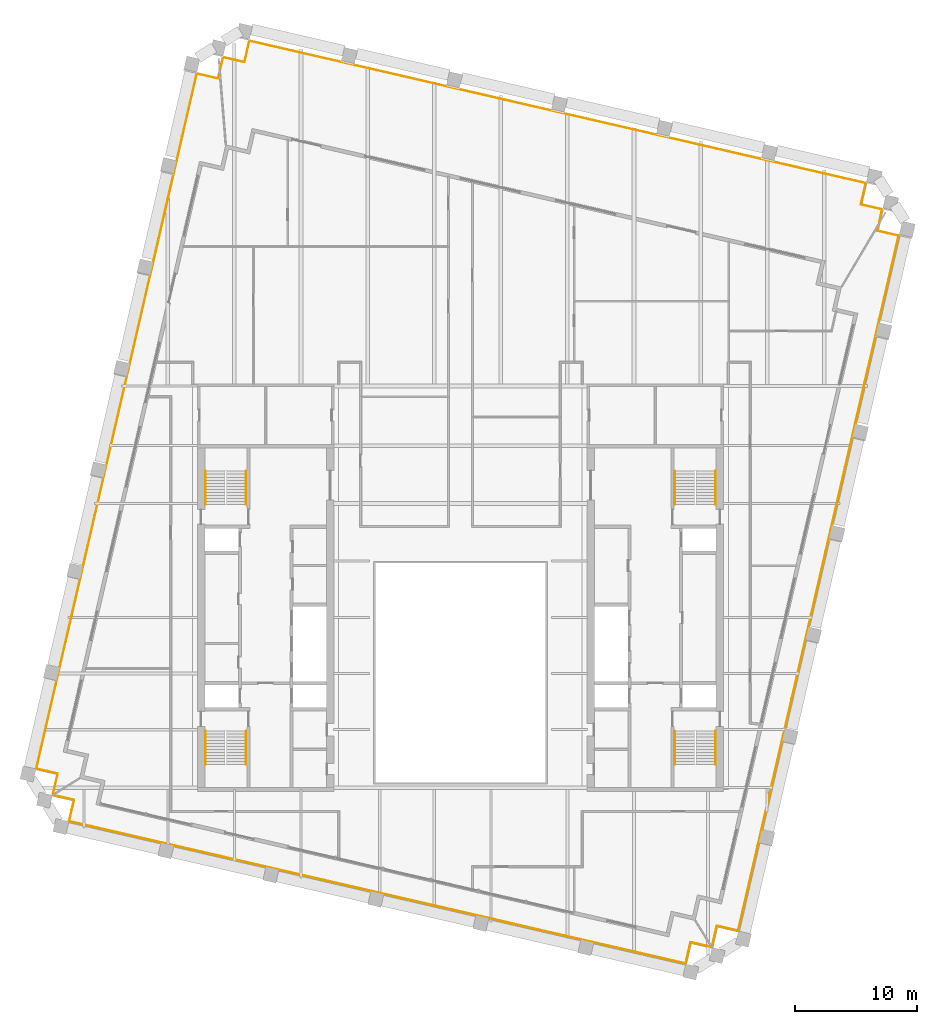
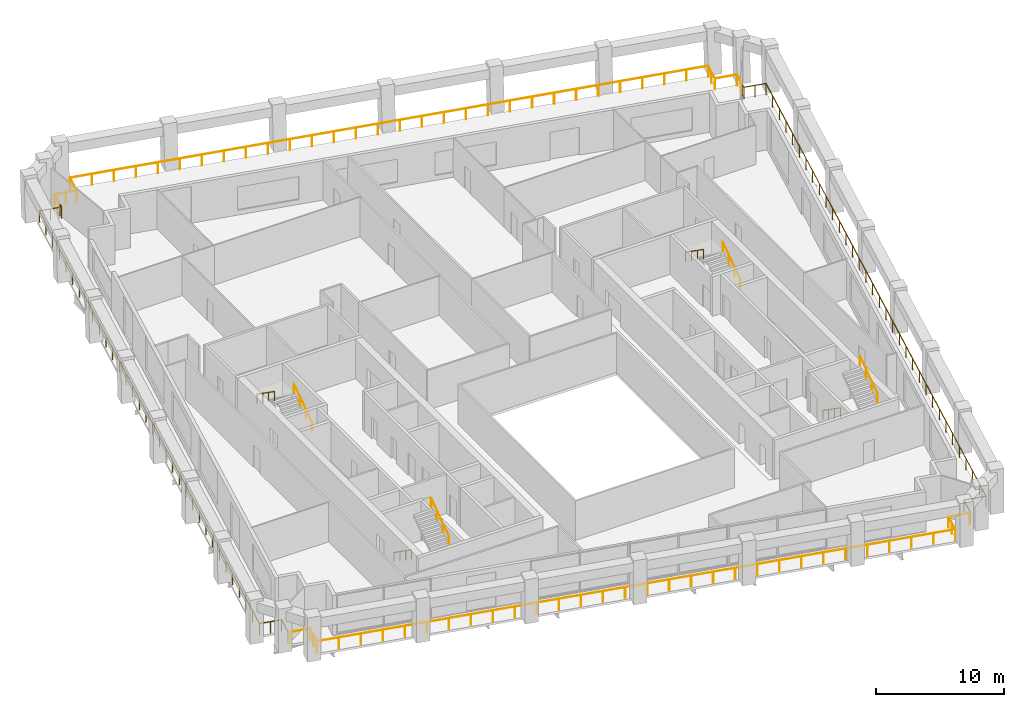
# One storey, part 11 of 11: 12 railings.
"""IFC4 building model written with IfcOpenShell, lengths in metres."""

from ifc_helpers import new_model, si_unit, direction, frame, origin, origin_2d, place, context, subcontext, project, spatial, circle, extrude, material, type_object, element, save


model = new_model("IFC4")

# Units and contexts
model_context = context("Model", 3, precision=1e-05, world=origin(), true_north=direction((0.0, 1.0)))
body_context = subcontext(model_context, "Body", "Model", "MODEL_VIEW")
ifc_project = project(units=[si_unit("LENGTHUNIT", "METRE"), si_unit("AREAUNIT", "SQUARE_METRE"), si_unit("VOLUMEUNIT", "CUBIC_METRE"), si_unit("PLANEANGLEUNIT", "RADIAN"), si_unit("MASSUNIT", "GRAM", prefix="KILO")], contexts=[model_context])

# Site, building, storey
site_placement = place(None, origin())
site = spatial("IfcSite", under=ifc_project, at=site_placement, CompositionType="ELEMENT")
building_placement = place(site_placement, origin())
building = spatial("IfcBuilding", under=site, at=building_placement, Name="Ogive Exchange Tower", CompositionType="ELEMENT")
storey_placement = place(building_placement, frame((0.0, 0.0, 293.39990234375)))
storey = spatial("IfcBuildingStorey", under=building, at=storey_placement, Name="L64", CompositionType="ELEMENT", Elevation=293.39990234375)

# Railings
ifc_material_1 = material(Name="Stainless steel 316", Category="steel")
railing_type_1 = type_object("IfcRailingType", Name="Guard 1100 stainless steel and glass", PredefinedType="GUARDRAIL", material=ifc_material_1)
railing_1_placement = place(storey_placement, frame((20.560546875, -15.527099609375, -0.0498046875)))
element("IfcRailing", 1, at=railing_1_placement, inside=storey, type_object=railing_type_1, Name="Loggia guard 1", PredefinedType="GUARDRAIL", context=body_context, shape_type="SweptSolid", body=[
    extrude(circle(Radius=0.02392578125, at=origin_2d()), frame((0.0, 0.0, 1.076171875), z_axis=(-0.974396013545, 0.224838628327, 0.0), x_axis=(-0.224838628327, -0.974396013545, 0.0)), (0.0, 0.0, 1.0), 1.7080078125),
    extrude(circle(Radius=0.02392578125, at=origin_2d()), frame((-1.664306640625, 0.384033203125, 1.076171875), z_axis=(-0.224879318197, -0.974386623598, 0.0), x_axis=(0.974386623598, -0.224879318197, 0.0)), (0.0, 0.0, 1.0), 1.800048828125),
    extrude(circle(Radius=0.02392578125, at=origin_2d()), frame((-2.069091796875, -1.369873046875, 1.076171875), z_axis=(-0.974370126852, 0.224950785504, 0.0), x_axis=(-0.224950785504, -0.974370126852, 0.0)), (0.0, 0.0, 1.0), 51.960205078125),
    extrude(circle(Radius=0.02392578125, at=origin_2d()), frame((-52.697509765625, 10.318603515625, 1.076171875), z_axis=(0.225008086135, 0.974356896201, 0.0), x_axis=(-0.974356896201, 0.225008086135, 0.0)), (0.0, 0.0, 1.0), 1.800048828125),
    extrude(circle(Radius=0.02392578125, at=origin_2d()), frame((-52.29248046875, 12.072509765625, 1.076171875), z_axis=(-0.974364690374, 0.224974332206, 0.0), x_axis=(-0.224974332206, -0.974364690374, 0.0)), (0.0, 0.0, 1.0), 1.7080078125),
    extrude(circle(Radius=0.02099609375, at=origin_2d()), origin(), (0.0, 0.0, 1.0), 1.052001953125),
    extrude(circle(Radius=0.02099609375, at=origin_2d()), frame((-1.664306640625, 0.384033203125, 0.0)), (0.0, 0.0, 1.0), 1.052001953125),
    extrude(circle(Radius=0.02099609375, at=origin_2d()), frame((-1.86669921875, -0.492919921875, 0.0)), (0.0, 0.0, 1.0), 1.052001953125),
    extrude(circle(Radius=0.02099609375, at=origin_2d()), frame((-2.069091796875, -1.369873046875, 0.0)), (0.0, 0.0, 1.0), 1.052001953125),
    extrude(circle(Radius=0.02099609375, at=origin_2d()), frame((-3.81494140625, -0.966796875, 0.0)), (0.0, 0.0, 1.0), 1.052001953125),
    extrude(circle(Radius=0.02099609375, at=origin_2d()), frame((-5.560791015625, -0.563720703125, 0.0)), (0.0, 0.0, 1.0), 1.052001953125),
    extrude(circle(Radius=0.02099609375, at=origin_2d()), frame((-7.306396484375, -0.16064453125, 0.0)), (0.0, 0.0, 1.0), 1.052001953125),
    extrude(circle(Radius=0.02099609375, at=origin_2d()), frame((-9.05224609375, 0.242431640625, 0.0)), (0.0, 0.0, 1.0), 1.052001953125),
    extrude(circle(Radius=0.02099609375, at=origin_2d()), frame((-10.798095703125, 0.645263671875, 0.0)), (0.0, 0.0, 1.0), 1.052001953125),
    extrude(circle(Radius=0.02099609375, at=origin_2d()), frame((-12.5439453125, 1.04833984375, 0.0)), (0.0, 0.0, 1.0), 1.052001953125),
    extrude(circle(Radius=0.02099609375, at=origin_2d()), frame((-14.289794921875, 1.451416015625, 0.0)), (0.0, 0.0, 1.0), 1.052001953125),
    extrude(circle(Radius=0.02099609375, at=origin_2d()), frame((-16.03564453125, 1.8544921875, 0.0)), (0.0, 0.0, 1.0), 1.052001953125),
    extrude(circle(Radius=0.02099609375, at=origin_2d()), frame((-17.78125, 2.257568359375, 0.0)), (0.0, 0.0, 1.0), 1.052001953125),
    extrude(circle(Radius=0.02099609375, at=origin_2d()), frame((-19.527099609375, 2.66064453125, 0.0)), (0.0, 0.0, 1.0), 1.052001953125),
    extrude(circle(Radius=0.02099609375, at=origin_2d()), frame((-21.27294921875, 3.063720703125, 0.0)), (0.0, 0.0, 1.0), 1.052001953125),
    extrude(circle(Radius=0.02099609375, at=origin_2d()), frame((-23.018798828125, 3.466796875, 0.0)), (0.0, 0.0, 1.0), 1.052001953125),
    extrude(circle(Radius=0.02099609375, at=origin_2d()), frame((-24.7646484375, 3.869873046875, 0.0)), (0.0, 0.0, 1.0), 1.052001953125),
    extrude(circle(Radius=0.02099609375, at=origin_2d()), frame((-26.510498046875, 4.27294921875, 0.0)), (0.0, 0.0, 1.0), 1.052001953125),
    extrude(circle(Radius=0.02099609375, at=origin_2d()), frame((-28.256103515625, 4.67578125, 0.0)), (0.0, 0.0, 1.0), 1.052001953125),
    extrude(circle(Radius=0.02099609375, at=origin_2d()), frame((-30.001953125, 5.078857421875, 0.0)), (0.0, 0.0, 1.0), 1.052001953125),
    extrude(circle(Radius=0.02099609375, at=origin_2d()), frame((-31.747802734375, 5.48193359375, 0.0)), (0.0, 0.0, 1.0), 1.052001953125),
    extrude(circle(Radius=0.02099609375, at=origin_2d()), frame((-33.49365234375, 5.885009765625, 0.0)), (0.0, 0.0, 1.0), 1.052001953125),
    extrude(circle(Radius=0.02099609375, at=origin_2d()), frame((-35.239501953125, 6.2880859375, 0.0)), (0.0, 0.0, 1.0), 1.052001953125),
    extrude(circle(Radius=0.02099609375, at=origin_2d()), frame((-36.9853515625, 6.691162109375, 0.0)), (0.0, 0.0, 1.0), 1.052001953125),
    extrude(circle(Radius=0.02099609375, at=origin_2d()), frame((-38.73095703125, 7.09423828125, 0.0)), (0.0, 0.0, 1.0), 1.052001953125),
    extrude(circle(Radius=0.02099609375, at=origin_2d()), frame((-40.476806640625, 7.497314453125, 0.0)), (0.0, 0.0, 1.0), 1.052001953125),
    extrude(circle(Radius=0.02099609375, at=origin_2d()), frame((-42.22265625, 7.900390625, 0.0)), (0.0, 0.0, 1.0), 1.052001953125),
    extrude(circle(Radius=0.02099609375, at=origin_2d()), frame((-43.968505859375, 8.303466796875, 0.0)), (0.0, 0.0, 1.0), 1.052001953125),
    extrude(circle(Radius=0.02099609375, at=origin_2d()), frame((-45.71435546875, 8.706298828125, 0.0)), (0.0, 0.0, 1.0), 1.052001953125),
    extrude(circle(Radius=0.02099609375, at=origin_2d()), frame((-47.460205078125, 9.109375, 0.0)), (0.0, 0.0, 1.0), 1.052001953125),
    extrude(circle(Radius=0.02099609375, at=origin_2d()), frame((-49.205810546875, 9.512451171875, 0.0)), (0.0, 0.0, 1.0), 1.052001953125),
    extrude(circle(Radius=0.02099609375, at=origin_2d()), frame((-50.95166015625, 9.91552734375, 0.0)), (0.0, 0.0, 1.0), 1.052001953125),
    extrude(circle(Radius=0.02099609375, at=origin_2d()), frame((-52.697509765625, 10.318603515625, 0.0)), (0.0, 0.0, 1.0), 1.052001953125),
    extrude(circle(Radius=0.02099609375, at=origin_2d()), frame((-52.4951171875, 11.195556640625, 0.0)), (0.0, 0.0, 1.0), 1.052001953125),
    extrude(circle(Radius=0.02099609375, at=origin_2d()), frame((-52.29248046875, 12.072509765625, 0.0)), (0.0, 0.0, 1.0), 1.052001953125),
    extrude(circle(Radius=0.02099609375, at=origin_2d()), frame((-53.956787109375, 12.456787109375, 0.0)), (0.0, 0.0, 1.0), 1.052001953125),
])
railing_2_placement = place(storey_placement, frame((-33.465087890625, -2.960205078125, -0.0498046875)))
element("IfcRailing", 2, at=railing_2_placement, inside=storey, type_object=railing_type_1, Name="Loggia guard 2", PredefinedType="GUARDRAIL", context=body_context, shape_type="SweptSolid", body=[
    extrude(circle(Radius=0.02392578125, at=origin_2d()), frame((0.0, 0.0, 1.076171875), z_axis=(0.224974332206, 0.974364690374, 0.0), x_axis=(-0.974364690374, 0.224974332206, 0.0)), (0.0, 0.0, 1.0), 1.7080078125),
    extrude(circle(Radius=0.02392578125, at=origin_2d()), frame((0.38427734375, 1.664306640625, 1.076171875), z_axis=(-0.974356896201, 0.225008086135, 0.0), x_axis=(-0.225008086135, -0.974356896201, 0.0)), (0.0, 0.0, 1.0), 1.800048828125),
    extrude(circle(Radius=0.02392578125, at=origin_2d()), frame((-1.36962890625, 2.0693359375, 1.076171875), z_axis=(0.224949894948, 0.974370332452, 0.0), x_axis=(-0.974370332452, 0.224949894948, 0.0)), (0.0, 0.0, 1.0), 58.587158203125),
    extrude(circle(Radius=0.02392578125, at=origin_2d()), frame((11.8095703125, 59.155029296875, 1.076171875), z_axis=(0.974356896201, -0.225008086135, 0.0), x_axis=(0.225008086135, 0.974356896201, 0.0)), (0.0, 0.0, 1.0), 1.800048828125),
    extrude(circle(Radius=0.02392578125, at=origin_2d()), frame((13.5634765625, 58.75, 1.076171875), z_axis=(0.224714267774, 0.974424700969, 0.0), x_axis=(-0.974424700969, 0.224714267774, 0.0)), (0.0, 0.0, 1.0), 0.368408203125),
    extrude(circle(Radius=0.02099609375, at=origin_2d()), origin(), (0.0, 0.0, 1.0), 1.052001953125),
    extrude(circle(Radius=0.02099609375, at=origin_2d()), frame((0.38427734375, 1.664306640625, 0.0)), (0.0, 0.0, 1.0), 1.052001953125),
    extrude(circle(Radius=0.02099609375, at=origin_2d()), frame((-0.49267578125, 1.86669921875, 0.0)), (0.0, 0.0, 1.0), 1.052001953125),
    extrude(circle(Radius=0.02099609375, at=origin_2d()), frame((-1.36962890625, 2.0693359375, 0.0)), (0.0, 0.0, 1.0), 1.052001953125),
    extrude(circle(Radius=0.02099609375, at=origin_2d()), frame((-0.97021484375, 3.79931640625, 0.0)), (0.0, 0.0, 1.0), 1.052001953125),
    extrude(circle(Radius=0.02099609375, at=origin_2d()), frame((-0.57080078125, 5.529052734375, 0.0)), (0.0, 0.0, 1.0), 1.052001953125),
    extrude(circle(Radius=0.02099609375, at=origin_2d()), frame((-0.171630859375, 7.259033203125, 0.0)), (0.0, 0.0, 1.0), 1.052001953125),
    extrude(circle(Radius=0.02099609375, at=origin_2d()), frame((0.227783203125, 8.98876953125, 0.0)), (0.0, 0.0, 1.0), 1.052001953125),
    extrude(circle(Radius=0.02099609375, at=origin_2d()), frame((0.627197265625, 10.71875, 0.0)), (0.0, 0.0, 1.0), 1.052001953125),
    extrude(circle(Radius=0.02099609375, at=origin_2d()), frame((1.026611328125, 12.448486328125, 0.0)), (0.0, 0.0, 1.0), 1.052001953125),
    extrude(circle(Radius=0.02099609375, at=origin_2d()), frame((1.426025390625, 14.178466796875, 0.0)), (0.0, 0.0, 1.0), 1.052001953125),
    extrude(circle(Radius=0.02099609375, at=origin_2d()), frame((1.825439453125, 15.908203125, 0.0)), (0.0, 0.0, 1.0), 1.052001953125),
    extrude(circle(Radius=0.02099609375, at=origin_2d()), frame((2.224609375, 17.63818359375, 0.0)), (0.0, 0.0, 1.0), 1.052001953125),
    extrude(circle(Radius=0.02099609375, at=origin_2d()), frame((2.6240234375, 19.367919921875, 0.0)), (0.0, 0.0, 1.0), 1.052001953125),
    extrude(circle(Radius=0.02099609375, at=origin_2d()), frame((3.0234375, 21.097900390625, 0.0)), (0.0, 0.0, 1.0), 1.052001953125),
    extrude(circle(Radius=0.02099609375, at=origin_2d()), frame((3.4228515625, 22.827880859375, 0.0)), (0.0, 0.0, 1.0), 1.052001953125),
    extrude(circle(Radius=0.02099609375, at=origin_2d()), frame((3.822265625, 24.5576171875, 0.0)), (0.0, 0.0, 1.0), 1.052001953125),
    extrude(circle(Radius=0.02099609375, at=origin_2d()), frame((4.221435546875, 26.28759765625, 0.0)), (0.0, 0.0, 1.0), 1.052001953125),
    extrude(circle(Radius=0.02099609375, at=origin_2d()), frame((4.620849609375, 28.017333984375, 0.0)), (0.0, 0.0, 1.0), 1.052001953125),
    extrude(circle(Radius=0.02099609375, at=origin_2d()), frame((5.020263671875, 29.747314453125, 0.0)), (0.0, 0.0, 1.0), 1.052001953125),
    extrude(circle(Radius=0.02099609375, at=origin_2d()), frame((5.419677734375, 31.47705078125, 0.0)), (0.0, 0.0, 1.0), 1.052001953125),
    extrude(circle(Radius=0.02099609375, at=origin_2d()), frame((5.819091796875, 33.20703125, 0.0)), (0.0, 0.0, 1.0), 1.052001953125),
    extrude(circle(Radius=0.02099609375, at=origin_2d()), frame((6.218505859375, 34.936767578125, 0.0)), (0.0, 0.0, 1.0), 1.052001953125),
    extrude(circle(Radius=0.02099609375, at=origin_2d()), frame((6.61767578125, 36.666748046875, 0.0)), (0.0, 0.0, 1.0), 1.052001953125),
    extrude(circle(Radius=0.02099609375, at=origin_2d()), frame((7.01708984375, 38.396484375, 0.0)), (0.0, 0.0, 1.0), 1.052001953125),
    extrude(circle(Radius=0.02099609375, at=origin_2d()), frame((7.41650390625, 40.12646484375, 0.0)), (0.0, 0.0, 1.0), 1.052001953125),
    extrude(circle(Radius=0.02099609375, at=origin_2d()), frame((7.81591796875, 41.8564453125, 0.0)), (0.0, 0.0, 1.0), 1.052001953125),
    extrude(circle(Radius=0.02099609375, at=origin_2d()), frame((8.21533203125, 43.586181640625, 0.0)), (0.0, 0.0, 1.0), 1.052001953125),
    extrude(circle(Radius=0.02099609375, at=origin_2d()), frame((8.614501953125, 45.316162109375, 0.0)), (0.0, 0.0, 1.0), 1.052001953125),
    extrude(circle(Radius=0.02099609375, at=origin_2d()), frame((9.013916015625, 47.0458984375, 0.0)), (0.0, 0.0, 1.0), 1.052001953125),
    extrude(circle(Radius=0.02099609375, at=origin_2d()), frame((9.413330078125, 48.77587890625, 0.0)), (0.0, 0.0, 1.0), 1.052001953125),
    extrude(circle(Radius=0.02099609375, at=origin_2d()), frame((9.812744140625, 50.505615234375, 0.0)), (0.0, 0.0, 1.0), 1.052001953125),
    extrude(circle(Radius=0.02099609375, at=origin_2d()), frame((10.212158203125, 52.235595703125, 0.0)), (0.0, 0.0, 1.0), 1.052001953125),
    extrude(circle(Radius=0.02099609375, at=origin_2d()), frame((10.611572265625, 53.96533203125, 0.0)), (0.0, 0.0, 1.0), 1.052001953125),
    extrude(circle(Radius=0.02099609375, at=origin_2d()), frame((11.0107421875, 55.6953125, 0.0)), (0.0, 0.0, 1.0), 1.052001953125),
    extrude(circle(Radius=0.02099609375, at=origin_2d()), frame((11.41015625, 57.425048828125, 0.0)), (0.0, 0.0, 1.0), 1.052001953125),
    extrude(circle(Radius=0.02099609375, at=origin_2d()), frame((11.8095703125, 59.155029296875, 0.0)), (0.0, 0.0, 1.0), 1.052001953125),
    extrude(circle(Radius=0.02099609375, at=origin_2d()), frame((12.6865234375, 58.95263671875, 0.0)), (0.0, 0.0, 1.0), 1.052001953125),
    extrude(circle(Radius=0.02099609375, at=origin_2d()), frame((13.5634765625, 58.75, 0.0)), (0.0, 0.0, 1.0), 1.052001953125),
    extrude(circle(Radius=0.02099609375, at=origin_2d()), frame((13.646240234375, 59.10888671875, 0.0)), (0.0, 0.0, 1.0), 1.052001953125),
])
railing_3_placement = place(storey_placement, frame((-19.72265625, 56.56591796875, -0.0498046875)))
element("IfcRailing", 3, at=railing_3_placement, inside=storey, type_object=railing_type_1, Name="Loggia guard 3", PredefinedType="GUARDRAIL", context=body_context, shape_type="SweptSolid", body=[
    extrude(circle(Radius=0.02392578125, at=origin_2d()), frame((0.0, 0.0, 1.076171875), z_axis=(0.225037181877, 0.974350176668, 0.0), x_axis=(-0.974350176668, 0.225037181877, 0.0)), (0.0, 0.0, 1.0), 1.00341796875),
    extrude(circle(Radius=0.02392578125, at=origin_2d()), frame((0.225830078125, 0.977783203125, 1.076171875), z_axis=(0.974386623598, -0.224879318197, 0.0), x_axis=(0.224879318197, 0.974386623598, 0.0)), (0.0, 0.0, 1.0), 1.800048828125),
    extrude(circle(Radius=0.02392578125, at=origin_2d()), frame((1.979736328125, 0.572998046875, 1.076171875), z_axis=(0.22503782496, 0.974350028141, 0.0), x_axis=(-0.974350028141, 0.22503782496, 0.0)), (0.0, 0.0, 1.0), 1.7998046875),
    extrude(circle(Radius=0.02392578125, at=origin_2d()), frame((2.384765625, 2.32666015625, 1.076171875), z_axis=(0.974370918954, -0.224947354501, 0.0), x_axis=(0.224947354501, 0.974370918954, 0.0)), (0.0, 0.0, 1.0), 51.9599609375),
    extrude(circle(Radius=0.02392578125, at=origin_2d()), frame((53.012939453125, -9.361572265625, 1.076171875), z_axis=(-0.224879318197, -0.974386623598, 0.0), x_axis=(0.974386623598, -0.224879318197, 0.0)), (0.0, 0.0, 1.0), 1.800048828125),
    extrude(circle(Radius=0.02392578125, at=origin_2d()), frame((52.608154296875, -11.115478515625, 1.076171875), z_axis=(0.974350028141, -0.22503782496, 0.0), x_axis=(0.22503782496, 0.974350028141, 0.0)), (0.0, 0.0, 1.0), 1.7998046875),
    extrude(circle(Radius=0.02392578125, at=origin_2d()), frame((54.36181640625, -11.5205078125, 1.076171875), z_axis=(-0.224983850634, -0.974362492584, 0.0), x_axis=(0.974362492584, -0.224983850634, 0.0)), (0.0, 0.0, 1.0), 1.003662109375),
    extrude(circle(Radius=0.02099609375, at=origin_2d()), origin(), (0.0, 0.0, 1.0), 1.052001953125),
    extrude(circle(Radius=0.02099609375, at=origin_2d()), frame((0.225830078125, 0.977783203125, 0.0)), (0.0, 0.0, 1.0), 1.052001953125),
    extrude(circle(Radius=0.02099609375, at=origin_2d()), frame((1.102783203125, 0.775390625, 0.0)), (0.0, 0.0, 1.0), 1.052001953125),
    extrude(circle(Radius=0.02099609375, at=origin_2d()), frame((1.979736328125, 0.572998046875, 0.0)), (0.0, 0.0, 1.0), 1.052001953125),
    extrude(circle(Radius=0.02099609375, at=origin_2d()), frame((2.384765625, 2.32666015625, 0.0)), (0.0, 0.0, 1.0), 1.052001953125),
    extrude(circle(Radius=0.02099609375, at=origin_2d()), frame((4.130615234375, 1.923583984375, 0.0)), (0.0, 0.0, 1.0), 1.052001953125),
    extrude(circle(Radius=0.02099609375, at=origin_2d()), frame((5.87646484375, 1.5205078125, 0.0)), (0.0, 0.0, 1.0), 1.052001953125),
    extrude(circle(Radius=0.02099609375, at=origin_2d()), frame((7.6220703125, 1.117431640625, 0.0)), (0.0, 0.0, 1.0), 1.052001953125),
    extrude(circle(Radius=0.02099609375, at=origin_2d()), frame((9.367919921875, 0.714599609375, 0.0)), (0.0, 0.0, 1.0), 1.052001953125),
    extrude(circle(Radius=0.02099609375, at=origin_2d()), frame((11.11376953125, 0.3115234375, 0.0)), (0.0, 0.0, 1.0), 1.052001953125),
    extrude(circle(Radius=0.02099609375, at=origin_2d()), frame((12.859619140625, -0.091552734375, 0.0)), (0.0, 0.0, 1.0), 1.052001953125),
    extrude(circle(Radius=0.02099609375, at=origin_2d()), frame((14.60546875, -0.49462890625, 0.0)), (0.0, 0.0, 1.0), 1.052001953125),
    extrude(circle(Radius=0.02099609375, at=origin_2d()), frame((16.35107421875, -0.897705078125, 0.0)), (0.0, 0.0, 1.0), 1.052001953125),
    extrude(circle(Radius=0.02099609375, at=origin_2d()), frame((18.096923828125, -1.30078125, 0.0)), (0.0, 0.0, 1.0), 1.052001953125),
    extrude(circle(Radius=0.02099609375, at=origin_2d()), frame((19.8427734375, -1.703857421875, 0.0)), (0.0, 0.0, 1.0), 1.052001953125),
    extrude(circle(Radius=0.02099609375, at=origin_2d()), frame((21.588623046875, -2.106689453125, 0.0)), (0.0, 0.0, 1.0), 1.052001953125),
    extrude(circle(Radius=0.02099609375, at=origin_2d()), frame((23.33447265625, -2.509765625, 0.0)), (0.0, 0.0, 1.0), 1.052001953125),
    extrude(circle(Radius=0.02099609375, at=origin_2d()), frame((25.080078125, -2.912841796875, 0.0)), (0.0, 0.0, 1.0), 1.052001953125),
    extrude(circle(Radius=0.02099609375, at=origin_2d()), frame((26.825927734375, -3.31591796875, 0.0)), (0.0, 0.0, 1.0), 1.052001953125),
    extrude(circle(Radius=0.02099609375, at=origin_2d()), frame((28.57177734375, -3.718994140625, 0.0)), (0.0, 0.0, 1.0), 1.052001953125),
    extrude(circle(Radius=0.02099609375, at=origin_2d()), frame((30.317626953125, -4.1220703125, 0.0)), (0.0, 0.0, 1.0), 1.052001953125),
    extrude(circle(Radius=0.02099609375, at=origin_2d()), frame((32.063232421875, -4.525146484375, 0.0)), (0.0, 0.0, 1.0), 1.052001953125),
    extrude(circle(Radius=0.02099609375, at=origin_2d()), frame((33.80908203125, -4.92822265625, 0.0)), (0.0, 0.0, 1.0), 1.052001953125),
    extrude(circle(Radius=0.02099609375, at=origin_2d()), frame((35.554931640625, -5.3310546875, 0.0)), (0.0, 0.0, 1.0), 1.052001953125),
    extrude(circle(Radius=0.02099609375, at=origin_2d()), frame((37.30078125, -5.734130859375, 0.0)), (0.0, 0.0, 1.0), 1.052001953125),
    extrude(circle(Radius=0.02099609375, at=origin_2d()), frame((39.046630859375, -6.13720703125, 0.0)), (0.0, 0.0, 1.0), 1.052001953125),
    extrude(circle(Radius=0.02099609375, at=origin_2d()), frame((40.792236328125, -6.540283203125, 0.0)), (0.0, 0.0, 1.0), 1.052001953125),
    extrude(circle(Radius=0.02099609375, at=origin_2d()), frame((42.5380859375, -6.943359375, 0.0)), (0.0, 0.0, 1.0), 1.052001953125),
    extrude(circle(Radius=0.02099609375, at=origin_2d()), frame((44.283935546875, -7.346435546875, 0.0)), (0.0, 0.0, 1.0), 1.052001953125),
    extrude(circle(Radius=0.02099609375, at=origin_2d()), frame((46.02978515625, -7.74951171875, 0.0)), (0.0, 0.0, 1.0), 1.052001953125),
    extrude(circle(Radius=0.02099609375, at=origin_2d()), frame((47.775634765625, -8.15234375, 0.0)), (0.0, 0.0, 1.0), 1.052001953125),
    extrude(circle(Radius=0.02099609375, at=origin_2d()), frame((49.521240234375, -8.555419921875, 0.0)), (0.0, 0.0, 1.0), 1.052001953125),
    extrude(circle(Radius=0.02099609375, at=origin_2d()), frame((51.26708984375, -8.95849609375, 0.0)), (0.0, 0.0, 1.0), 1.052001953125),
    extrude(circle(Radius=0.02099609375, at=origin_2d()), frame((53.012939453125, -9.361572265625, 0.0)), (0.0, 0.0, 1.0), 1.052001953125),
    extrude(circle(Radius=0.02099609375, at=origin_2d()), frame((52.810546875, -10.238525390625, 0.0)), (0.0, 0.0, 1.0), 1.052001953125),
    extrude(circle(Radius=0.02099609375, at=origin_2d()), frame((52.608154296875, -11.115478515625, 0.0)), (0.0, 0.0, 1.0), 1.052001953125),
    extrude(circle(Radius=0.02099609375, at=origin_2d()), frame((54.36181640625, -11.5205078125, 0.0)), (0.0, 0.0, 1.0), 1.052001953125),
    extrude(circle(Radius=0.02099609375, at=origin_2d()), frame((54.135986328125, -12.49853515625, 0.0)), (0.0, 0.0, 1.0), 1.052001953125),
])
railing_4_placement = place(storey_placement, frame((34.317138671875, 43.650390625, -0.0498046875)))
element("IfcRailing", 4, at=railing_4_placement, inside=storey, type_object=railing_type_1, Name="Loggia guard 4", PredefinedType="GUARDRAIL", context=body_context, shape_type="SweptSolid", body=[
    extrude(circle(Radius=0.02392578125, at=origin_2d()), frame((0.0, 0.0, 1.076171875), z_axis=(-0.224714267774, -0.974424700969, 0.0), x_axis=(0.974424700969, -0.224714267774, 0.0)), (0.0, 0.0, 1.0), 0.368408203125),
    extrude(circle(Radius=0.02392578125, at=origin_2d()), frame((-0.082763671875, -0.35888671875, 1.076171875), z_axis=(0.974386623598, -0.224879318197, 0.0), x_axis=(0.224879318197, 0.974386623598, 0.0)), (0.0, 0.0, 1.0), 1.800048828125),
    extrude(circle(Radius=0.02392578125, at=origin_2d()), frame((1.671142578125, -0.763671875, 1.076171875), z_axis=(-0.224953851203, -0.974369419075, 0.0), x_axis=(0.974369419075, -0.224953851203, 0.0)), (0.0, 0.0, 1.0), 58.58740234375),
    extrude(circle(Radius=0.02392578125, at=origin_2d()), frame((-11.50830078125, -57.849365234375, 1.076171875), z_axis=(-0.974379763188, 0.224909041816, 0.0), x_axis=(-0.224909041816, -0.974379763188, 0.0)), (0.0, 0.0, 1.0), 1.7998046875),
    extrude(circle(Radius=0.02392578125, at=origin_2d()), frame((-13.261962890625, -57.444580078125, 1.076171875), z_axis=(-0.224974332206, -0.974364690374, 0.0), x_axis=(0.974364690374, -0.224974332206, 0.0)), (0.0, 0.0, 1.0), 1.7080078125),
    extrude(circle(Radius=0.02099609375, at=origin_2d()), origin(), (0.0, 0.0, 1.0), 1.052001953125),
    extrude(circle(Radius=0.02099609375, at=origin_2d()), frame((-0.082763671875, -0.35888671875, 0.0)), (0.0, 0.0, 1.0), 1.052001953125),
    extrude(circle(Radius=0.02099609375, at=origin_2d()), frame((0.794189453125, -0.561279296875, 0.0)), (0.0, 0.0, 1.0), 1.052001953125),
    extrude(circle(Radius=0.02099609375, at=origin_2d()), frame((1.671142578125, -0.763671875, 0.0)), (0.0, 0.0, 1.0), 1.052001953125),
    extrude(circle(Radius=0.02099609375, at=origin_2d()), frame((1.271728515625, -2.49365234375, 0.0)), (0.0, 0.0, 1.0), 1.052001953125),
    extrude(circle(Radius=0.02099609375, at=origin_2d()), frame((0.872314453125, -4.223388671875, 0.0)), (0.0, 0.0, 1.0), 1.052001953125),
    extrude(circle(Radius=0.02099609375, at=origin_2d()), frame((0.472900390625, -5.953369140625, 0.0)), (0.0, 0.0, 1.0), 1.052001953125),
    extrude(circle(Radius=0.02099609375, at=origin_2d()), frame((0.07373046875, -7.68310546875, 0.0)), (0.0, 0.0, 1.0), 1.052001953125),
    extrude(circle(Radius=0.02099609375, at=origin_2d()), frame((-0.32568359375, -9.4130859375, 0.0)), (0.0, 0.0, 1.0), 1.052001953125),
    extrude(circle(Radius=0.02099609375, at=origin_2d()), frame((-0.72509765625, -11.142822265625, 0.0)), (0.0, 0.0, 1.0), 1.052001953125),
    extrude(circle(Radius=0.02099609375, at=origin_2d()), frame((-1.12451171875, -12.872802734375, 0.0)), (0.0, 0.0, 1.0), 1.052001953125),
    extrude(circle(Radius=0.02099609375, at=origin_2d()), frame((-1.52392578125, -14.6025390625, 0.0)), (0.0, 0.0, 1.0), 1.052001953125),
    extrude(circle(Radius=0.02099609375, at=origin_2d()), frame((-1.92333984375, -16.33251953125, 0.0)), (0.0, 0.0, 1.0), 1.052001953125),
    extrude(circle(Radius=0.02099609375, at=origin_2d()), frame((-2.322509765625, -18.062255859375, 0.0)), (0.0, 0.0, 1.0), 1.052001953125),
    extrude(circle(Radius=0.02099609375, at=origin_2d()), frame((-2.721923828125, -19.792236328125, 0.0)), (0.0, 0.0, 1.0), 1.052001953125),
    extrude(circle(Radius=0.02099609375, at=origin_2d()), frame((-3.121337890625, -21.522216796875, 0.0)), (0.0, 0.0, 1.0), 1.052001953125),
    extrude(circle(Radius=0.02099609375, at=origin_2d()), frame((-3.520751953125, -23.251953125, 0.0)), (0.0, 0.0, 1.0), 1.052001953125),
    extrude(circle(Radius=0.02099609375, at=origin_2d()), frame((-3.920166015625, -24.98193359375, 0.0)), (0.0, 0.0, 1.0), 1.052001953125),
    extrude(circle(Radius=0.02099609375, at=origin_2d()), frame((-4.319580078125, -26.711669921875, 0.0)), (0.0, 0.0, 1.0), 1.052001953125),
    extrude(circle(Radius=0.02099609375, at=origin_2d()), frame((-4.718994140625, -28.441650390625, 0.0)), (0.0, 0.0, 1.0), 1.052001953125),
    extrude(circle(Radius=0.02099609375, at=origin_2d()), frame((-5.1181640625, -30.17138671875, 0.0)), (0.0, 0.0, 1.0), 1.052001953125),
    extrude(circle(Radius=0.02099609375, at=origin_2d()), frame((-5.517578125, -31.9013671875, 0.0)), (0.0, 0.0, 1.0), 1.052001953125),
    extrude(circle(Radius=0.02099609375, at=origin_2d()), frame((-5.9169921875, -33.631103515625, 0.0)), (0.0, 0.0, 1.0), 1.052001953125),
    extrude(circle(Radius=0.02099609375, at=origin_2d()), frame((-6.31640625, -35.361083984375, 0.0)), (0.0, 0.0, 1.0), 1.052001953125),
    extrude(circle(Radius=0.02099609375, at=origin_2d()), frame((-6.7158203125, -37.0908203125, 0.0)), (0.0, 0.0, 1.0), 1.052001953125),
    extrude(circle(Radius=0.02099609375, at=origin_2d()), frame((-7.115234375, -38.82080078125, 0.0)), (0.0, 0.0, 1.0), 1.052001953125),
    extrude(circle(Radius=0.02099609375, at=origin_2d()), frame((-7.5146484375, -40.55078125, 0.0)), (0.0, 0.0, 1.0), 1.052001953125),
    extrude(circle(Radius=0.02099609375, at=origin_2d()), frame((-7.913818359375, -42.280517578125, 0.0)), (0.0, 0.0, 1.0), 1.052001953125),
    extrude(circle(Radius=0.02099609375, at=origin_2d()), frame((-8.313232421875, -44.010498046875, 0.0)), (0.0, 0.0, 1.0), 1.052001953125),
    extrude(circle(Radius=0.02099609375, at=origin_2d()), frame((-8.712646484375, -45.740234375, 0.0)), (0.0, 0.0, 1.0), 1.052001953125),
    extrude(circle(Radius=0.02099609375, at=origin_2d()), frame((-9.112060546875, -47.47021484375, 0.0)), (0.0, 0.0, 1.0), 1.052001953125),
    extrude(circle(Radius=0.02099609375, at=origin_2d()), frame((-9.511474609375, -49.199951171875, 0.0)), (0.0, 0.0, 1.0), 1.052001953125),
    extrude(circle(Radius=0.02099609375, at=origin_2d()), frame((-9.910888671875, -50.929931640625, 0.0)), (0.0, 0.0, 1.0), 1.052001953125),
    extrude(circle(Radius=0.02099609375, at=origin_2d()), frame((-10.31005859375, -52.65966796875, 0.0)), (0.0, 0.0, 1.0), 1.052001953125),
    extrude(circle(Radius=0.02099609375, at=origin_2d()), frame((-10.70947265625, -54.3896484375, 0.0)), (0.0, 0.0, 1.0), 1.052001953125),
    extrude(circle(Radius=0.02099609375, at=origin_2d()), frame((-11.10888671875, -56.119384765625, 0.0)), (0.0, 0.0, 1.0), 1.052001953125),
    extrude(circle(Radius=0.02099609375, at=origin_2d()), frame((-11.50830078125, -57.849365234375, 0.0)), (0.0, 0.0, 1.0), 1.052001953125),
    extrude(circle(Radius=0.02099609375, at=origin_2d()), frame((-13.261962890625, -57.444580078125, 0.0)), (0.0, 0.0, 1.0), 1.052001953125),
    extrude(circle(Radius=0.02099609375, at=origin_2d()), frame((-13.646240234375, -59.10888671875, 0.0)), (0.0, 0.0, 1.0), 1.052001953125),
])
ifc_material_2 = material(Name="Stainless steel", Category="steel")
railing_type_2 = type_object("IfcRailingType", Name="Stair handrail 900", PredefinedType="HANDRAIL", material=ifc_material_2)
railing_5_placement = place(storey_placement, frame((-20.949951171875, 2.199951171875, 0.175048828125)))
element("IfcRailing", 5, at=railing_5_placement, inside=storey, type_object=railing_type_2, Name="L64 ST1 stair handrail 1", PredefinedType="HANDRAIL", context=body_context, shape_type="SweptSolid", body=[
    extrude(circle(Radius=0.02392578125, at=origin_2d()), frame((0.0, 0.0, 0.8759765625), z_axis=(0.0, -0.819225086817, 0.573472106672), x_axis=(1.0, 0.0, 0.0)), (0.0, 0.0, 1.0), 3.35693359375),
    extrude(circle(Radius=0.02099609375, at=origin_2d()), origin(), (0.0, 0.0, 1.0), 0.851806640625),
    extrude(circle(Radius=0.02099609375, at=origin_2d()), frame((0.0, -0.916748046875, 0.6416015625)), (0.0, 0.0, 1.0), 0.851806640625),
    extrude(circle(Radius=0.02099609375, at=origin_2d()), frame((0.0, -1.833251953125, 1.283447265625)), (0.0, 0.0, 1.0), 0.851806640625),
    extrude(circle(Radius=0.02099609375, at=origin_2d()), frame((0.0, -2.75, 1.925048828125)), (0.0, 0.0, 1.0), 0.851806640625),
])
for number, where, name in (
    (6, (-17.60009765625, -0.550048828125, 2.275146484375), "L64 ST1 stair handrail 2"),
    (7, (-17.60009765625, 20.800048828125, 0.175048828125), "L64 ST2 stair handrail 1"),
):
    element("IfcRailing", number, at=place(storey_placement, frame(where)), inside=storey, type_object=railing_type_2, Name=name, PredefinedType="HANDRAIL", context=body_context, shape_type="SweptSolid", body=[
        extrude(circle(Radius=0.02392578125, at=origin_2d()), frame((0.0, 0.0, 0.8759765625), z_axis=(0.0, 0.819225086817, 0.573472106672), x_axis=(-1.0, 0.0, 0.0)), (0.0, 0.0, 1.0), 3.35693359375),
        extrude(circle(Radius=0.02099609375, at=origin_2d()), origin(), (0.0, 0.0, 1.0), 0.851806640625),
        extrude(circle(Radius=0.02099609375, at=origin_2d()), frame((0.0, 0.916748046875, 0.6416015625)), (0.0, 0.0, 1.0), 0.851806640625),
        extrude(circle(Radius=0.02099609375, at=origin_2d()), frame((0.0, 1.833251953125, 1.283447265625)), (0.0, 0.0, 1.0), 0.851806640625),
        extrude(circle(Radius=0.02099609375, at=origin_2d()), frame((0.0, 2.75, 1.925048828125)), (0.0, 0.0, 1.0), 0.851806640625),
    ])
for number, where, name in (
    (8, (-20.949951171875, 23.550048828125, 2.275146484375), "L64 ST2 stair handrail 2"),
    (9, (17.60009765625, 2.199951171875, 0.175048828125), "L64 ST3 stair handrail 1"),
):
    element("IfcRailing", number, at=place(storey_placement, frame(where)), inside=storey, type_object=railing_type_2, Name=name, PredefinedType="HANDRAIL", context=body_context, shape_type="SweptSolid", body=[
        extrude(circle(Radius=0.02392578125, at=origin_2d()), frame((0.0, 0.0, 0.8759765625), z_axis=(0.0, -0.819225086817, 0.573472106672), x_axis=(1.0, 0.0, 0.0)), (0.0, 0.0, 1.0), 3.35693359375),
        extrude(circle(Radius=0.02099609375, at=origin_2d()), origin(), (0.0, 0.0, 1.0), 0.851806640625),
        extrude(circle(Radius=0.02099609375, at=origin_2d()), frame((0.0, -0.916748046875, 0.6416015625)), (0.0, 0.0, 1.0), 0.851806640625),
        extrude(circle(Radius=0.02099609375, at=origin_2d()), frame((0.0, -1.833251953125, 1.283447265625)), (0.0, 0.0, 1.0), 0.851806640625),
        extrude(circle(Radius=0.02099609375, at=origin_2d()), frame((0.0, -2.75, 1.925048828125)), (0.0, 0.0, 1.0), 0.851806640625),
    ])
for number, where, name in (
    (10, (20.949951171875, -0.550048828125, 2.275146484375), "L64 ST3 stair handrail 2"),
    (11, (20.949951171875, 20.800048828125, 0.175048828125), "L64 ST4 stair handrail 1"),
):
    element("IfcRailing", number, at=place(storey_placement, frame(where)), inside=storey, type_object=railing_type_2, Name=name, PredefinedType="HANDRAIL", context=body_context, shape_type="SweptSolid", body=[
        extrude(circle(Radius=0.02392578125, at=origin_2d()), frame((0.0, 0.0, 0.8759765625), z_axis=(0.0, 0.819225086817, 0.573472106672), x_axis=(-1.0, 0.0, 0.0)), (0.0, 0.0, 1.0), 3.35693359375),
        extrude(circle(Radius=0.02099609375, at=origin_2d()), origin(), (0.0, 0.0, 1.0), 0.851806640625),
        extrude(circle(Radius=0.02099609375, at=origin_2d()), frame((0.0, 0.916748046875, 0.6416015625)), (0.0, 0.0, 1.0), 0.851806640625),
        extrude(circle(Radius=0.02099609375, at=origin_2d()), frame((0.0, 1.833251953125, 1.283447265625)), (0.0, 0.0, 1.0), 0.851806640625),
        extrude(circle(Radius=0.02099609375, at=origin_2d()), frame((0.0, 2.75, 1.925048828125)), (0.0, 0.0, 1.0), 0.851806640625),
    ])
railing_6_placement = place(storey_placement, frame((17.60009765625, 23.550048828125, 2.275146484375)))
element("IfcRailing", 12, at=railing_6_placement, inside=storey, type_object=railing_type_2, Name="L64 ST4 stair handrail 2", PredefinedType="HANDRAIL", context=body_context, shape_type="SweptSolid", body=[
    extrude(circle(Radius=0.02392578125, at=origin_2d()), frame((0.0, 0.0, 0.8759765625), z_axis=(0.0, -0.819225086817, 0.573472106672), x_axis=(1.0, 0.0, 0.0)), (0.0, 0.0, 1.0), 3.35693359375),
    extrude(circle(Radius=0.02099609375, at=origin_2d()), origin(), (0.0, 0.0, 1.0), 0.851806640625),
    extrude(circle(Radius=0.02099609375, at=origin_2d()), frame((0.0, -0.916748046875, 0.6416015625)), (0.0, 0.0, 1.0), 0.851806640625),
    extrude(circle(Radius=0.02099609375, at=origin_2d()), frame((0.0, -1.833251953125, 1.283447265625)), (0.0, 0.0, 1.0), 0.851806640625),
    extrude(circle(Radius=0.02099609375, at=origin_2d()), frame((0.0, -2.75, 1.925048828125)), (0.0, 0.0, 1.0), 0.851806640625),
])

save(model, "model.ifc")
